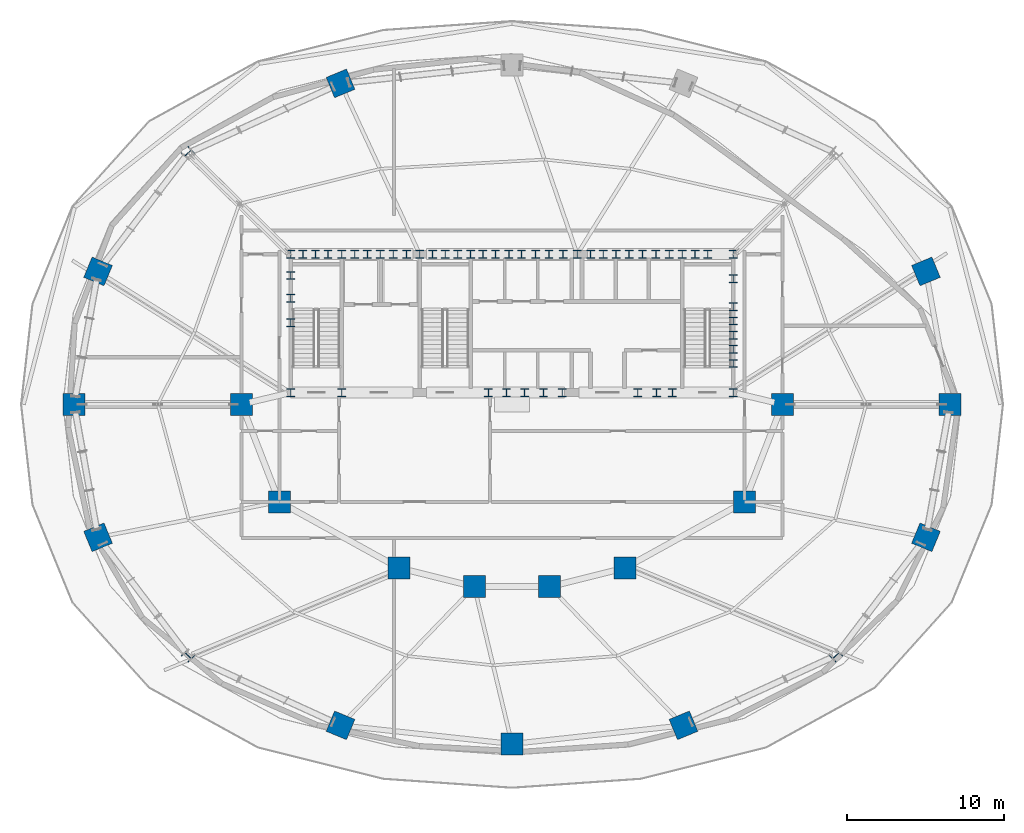
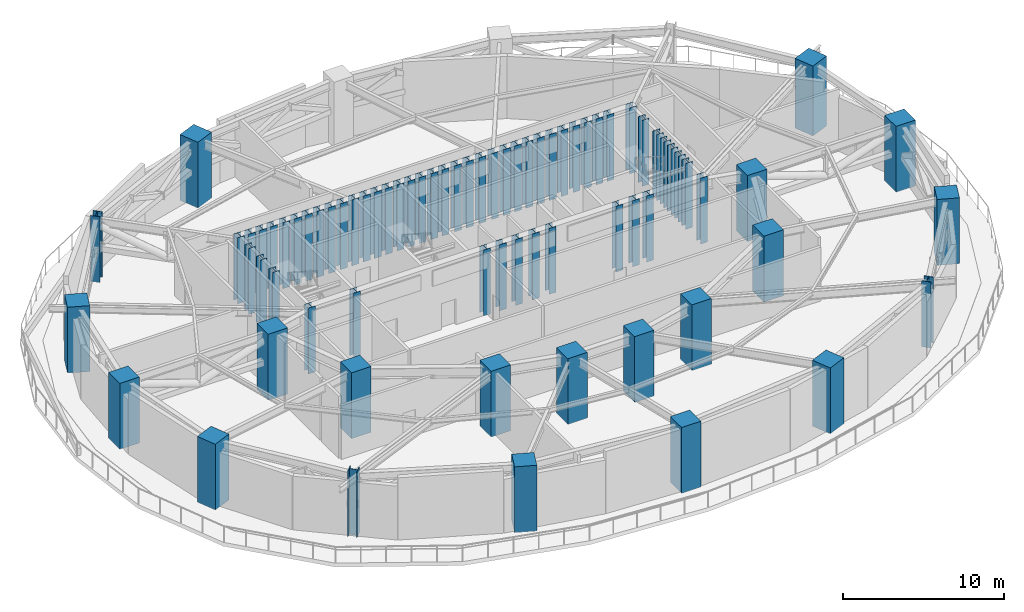
# One storey, part 1 of 18: 75 columns.
"""IFC4 building model written with IfcOpenShell, lengths in metres."""

from ifc_helpers import new_model, si_unit, direction, frame, origin, origin_2d, place, context, subcontext, project, spatial, rectangle, i_section, extrude, material, material_profile, profile_set, type_object, element, save


model = new_model("IFC4")

# Units and contexts
model_context = context("Model", 3, precision=1e-05, world=origin(), true_north=direction((0.0, 1.0)))
body_context = subcontext(model_context, "Body", "Model", "MODEL_VIEW")
ifc_project = project(units=[si_unit("LENGTHUNIT", "METRE"), si_unit("AREAUNIT", "SQUARE_METRE"), si_unit("VOLUMEUNIT", "CUBIC_METRE"), si_unit("PLANEANGLEUNIT", "RADIAN"), si_unit("MASSUNIT", "GRAM", prefix="KILO")], contexts=[model_context])

# Site, building, storey
site_placement = place(None, origin())
site = spatial("IfcSite", under=ifc_project, at=site_placement, CompositionType="ELEMENT")
building_placement = place(site_placement, origin())
building = spatial("IfcBuilding", under=site, at=building_placement, Name="Haldorwick Loom Tower", CompositionType="ELEMENT")
storey_placement = place(building_placement, frame((0.0, 0.0, 76.800048828125)))
storey = spatial("IfcBuildingStorey", under=building, at=storey_placement, Name="L20", CompositionType="ELEMENT", Elevation=76.800048828125)

# Columns
ifc_material_1 = material(Name="Concrete C60 (60 MPa)", Category="concrete")
ifc_material_profile_1 = material_profile(ifc_material_1, rectangle(XDim=1.39990234375, YDim=1.39990234375, at=origin_2d()), Name="RC1400X1400", Category="concrete")
ifc_profile_set_1 = profile_set([ifc_material_profile_1], Name="Concrete C60 (60 MPa)")
column_type_1 = type_object("IfcColumnType", Name="STR-COL-MEGA1400", PredefinedType="COLUMN", material=ifc_profile_set_1)
for number, where, z_axis, x_axis, name in (
    (1, (53.199951171875, 26.0, 0.0), (0.0, 0.0, 1.0), (1.0, 0.0, 0.0), "L20 Inner Column IC-01"),
    (2, (50.800048828125, 19.800048828125, 0.0), (0.0, 0.0, 1.0), (1.0, 0.0, 0.0), "L20 Inner Column IC-02"),
    (3, (43.199951171875, 15.60009765625, 0.0), (0.0, 0.0, 1.0), (1.0, 0.0, 0.0), "L20 Inner Column IC-03"),
    (4, (38.39990234375, 14.39990234375, 0.0), (0.0, 0.0, 1.0), (1.0, 0.0, 0.0), "L20 Inner Column IC-04"),
    (5, (33.60009765625, 14.39990234375, 0.0), (0.0, 0.0, 1.0), (1.0, 0.0, 0.0), "L20 Inner Column IC-05"),
    (6, (28.800048828125, 15.60009765625, 0.0), (0.0, 0.0, 1.0), (1.0, 0.0, 0.0), "L20 Inner Column IC-06"),
    (7, (21.199951171875, 19.800048828125, 0.0), (0.0, 0.0, 1.0), (1.0, 0.0, 0.0), "L20 Inner Column IC-07"),
    (8, (18.800048828125, 26.0, 0.0), (0.0, 0.0, 1.0), (1.0, 0.0, 0.0), "L20 Inner Column IC-08"),
):
    element("IfcColumn", number, at=place(storey_placement, frame(where, z_axis=z_axis, x_axis=x_axis)), inside=storey, type_object=column_type_1, Name=name, PredefinedType="COLUMN", context=body_context, shape_type="SweptSolid", body=[
        extrude(rectangle(XDim=1.39990234375, YDim=1.39990234375, at=origin_2d()), origin(), (0.0, 0.0, 1.0), 5.0),
    ])
ifc_material_profile_2 = material_profile(ifc_material_1, rectangle(XDim=1.39990234375, YDim=1.39990234375, at=origin_2d()), Name="RC1400X1400", Category="concrete")
ifc_profile_set_2 = profile_set([ifc_material_profile_2], Name="Concrete C60 (60 MPa)")
column_type_2 = type_object("IfcColumnType", Name="STR-COL-RC1400", PredefinedType="PILASTER", material=ifc_profile_set_2)
column_1_placement = place(storey_placement, frame((63.857666015625, 26.0, 0.0), z_axis=(0.0, 0.0, 1.0), x_axis=(1.0, 0.0, 0.0)))
element("IfcColumn", 9, at=column_1_placement, inside=storey, type_object=column_type_2, Name="L20 Perimeter Pier Column P01", PredefinedType="PILASTER", context=body_context, shape_type="SweptSolid", body=[
    extrude(rectangle(XDim=1.39990234375, YDim=1.39990234375, at=origin_2d()), origin(), (0.0, 0.0, 1.0), 5.0),
])
column_2_placement = place(storey_placement, frame((62.33056640625, 34.457275390625, -0.300048828125), z_axis=(0.0, 0.0, 1.0), x_axis=(0.923879532511, 0.382683432365, 0.0)))
element("IfcColumn", 10, at=column_2_placement, inside=storey, type_object=column_type_2, Name="L20 Perimeter Pier Column P02", PredefinedType="PILASTER", context=body_context, shape_type="SweptSolid", body=[
    extrude(rectangle(XDim=1.39990234375, YDim=1.39990234375, at=origin_2d()), origin(), (0.0, 0.0, 1.0), 5.300048828125),
])
for number, where, z_axis, x_axis, name in (
    (11, (25.093505859375, 46.417724609375, 0.0), (0.0, 0.0, 1.0), (-0.382683432365, 0.923879532511, 0.0), "L20 Perimeter Pier Column P06"),
    (12, (9.66943359375, 34.457275390625, 0.0), (0.0, 0.0, 1.0), (-0.923879532511, 0.382683432365, 0.0), "L20 Perimeter Pier Column P08"),
    (13, (8.142333984375, 26.0, 0.0), (0.0, 0.0, 1.0), (-1.0, 0.0, 0.0), "L20 Perimeter Pier Column P09"),
    (14, (9.66943359375, 17.542724609375, 0.0), (0.0, 0.0, 1.0), (-0.923879532511, -0.382683432365, 0.0), "L20 Perimeter Pier Column P10"),
    (15, (25.093505859375, 5.582275390625, 0.0), (0.0, 0.0, 1.0), (-0.382683432365, -0.923879532511, 0.0), "L20 Perimeter Pier Column P12"),
    (16, (36.0, 4.401611328125, 0.0), (0.0, 0.0, 1.0), (0.0, -1.0, 0.0), "L20 Perimeter Pier Column P13"),
    (17, (46.906494140625, 5.582275390625, 0.0), (0.0, 0.0, 1.0), (0.382683432365, -0.923879532511, 0.0), "L20 Perimeter Pier Column P14"),
    (18, (62.33056640625, 17.542724609375, 0.0), (0.0, 0.0, 1.0), (0.923879532511, -0.382683432365, 0.0), "L20 Perimeter Pier Column P16"),
):
    element("IfcColumn", number, at=place(storey_placement, frame(where, z_axis=z_axis, x_axis=x_axis)), inside=storey, type_object=column_type_2, Name=name, PredefinedType="PILASTER", context=body_context, shape_type="SweptSolid", body=[
        extrude(rectangle(XDim=1.39990234375, YDim=1.39990234375, at=origin_2d()), origin(), (0.0, 0.0, 1.0), 5.0),
    ])
ifc_material_2 = material(Name="Steel CSA G40.21 350WT", Category="steel")
ifc_material_profile_3 = material_profile(ifc_material_2, i_section(OverallWidth=0.5, OverallDepth=0.5, WebThickness=0.02197265625, FlangeThickness=0.031982421875, at=origin_2d()), Name="WWF500X500", Category="steel")
ifc_profile_set_3 = profile_set([ifc_material_profile_3], Name="Steel CSA G40.21 350WT")
column_type_3 = type_object("IfcColumnType", Name="STR-COL-WWF500", PredefinedType="COLUMN", material=ifc_profile_set_3)
for number, where, z_axis, x_axis, name in (
    (19, (21.929931640625, 35.550048828125, 0.0), (0.0, 0.0, 1.0), (1.0, 0.0, 0.0), "L20 Core Pilaster CB-01"),
    (20, (23.5, 35.550048828125, 0.0), (0.0, 0.0, 1.0), (1.0, 0.0, 0.0), "L20 Core Pilaster CB-02"),
    (21, (25.169921875, 35.550048828125, 0.0), (0.0, 0.0, 1.0), (1.0, 0.0, 0.0), "L20 Core Pilaster CB-03"),
    (22, (26.800048828125, 35.550048828125, 0.0), (0.0, 0.0, 1.0), (1.0, 0.0, 0.0), "L20 Core Pilaster CB-04"),
    (23, (28.449951171875, 35.550048828125, 0.0), (0.0, 0.0, 1.0), (1.0, 0.0, 0.0), "L20 Core Pilaster CB-05"),
    (24, (30.1298828125, 35.550048828125, 0.0), (0.0, 0.0, 1.0), (1.0, 0.0, 0.0), "L20 Core Pilaster CB-06"),
    (25, (31.75, 35.550048828125, 0.0), (0.0, 0.0, 1.0), (1.0, 0.0, 0.0), "L20 Core Pilaster CB-07"),
    (26, (33.3701171875, 35.550048828125, 0.0), (0.0, 0.0, 1.0), (1.0, 0.0, 0.0), "L20 Core Pilaster CB-08"),
    (27, (34.949951171875, 35.550048828125, 0.0), (0.0, 0.0, 1.0), (1.0, 0.0, 0.0), "L20 Core Pilaster CB-09"),
    (28, (36.60009765625, 35.550048828125, 0.0), (0.0, 0.0, 1.0), (1.0, 0.0, 0.0), "L20 Core Pilaster CB-10"),
    (29, (38.35009765625, 35.550048828125, 0.0), (0.0, 0.0, 1.0), (1.0, 0.0, 0.0), "L20 Core Pilaster CB-11"),
    (30, (40.14990234375, 35.550048828125, 0.0), (0.0, 0.0, 1.0), (1.0, 0.0, 0.0), "L20 Core Pilaster CB-12"),
    (31, (41.800048828125, 35.550048828125, 0.0), (0.0, 0.0, 1.0), (1.0, 0.0, 0.0), "L20 Core Pilaster CB-13"),
    (32, (43.449951171875, 35.550048828125, 0.0), (0.0, 0.0, 1.0), (1.0, 0.0, 0.0), "L20 Core Pilaster CB-14"),
    (33, (45.14990234375, 35.550048828125, 0.0), (0.0, 0.0, 1.0), (1.0, 0.0, 0.0), "L20 Core Pilaster CB-15"),
    (34, (46.830078125, 35.550048828125, 0.0), (0.0, 0.0, 1.0), (1.0, 0.0, 0.0), "L20 Core Pilaster CB-16"),
    (35, (48.449951171875, 35.550048828125, 0.0), (0.0, 0.0, 1.0), (1.0, 0.0, 0.0), "L20 Core Pilaster CB-17"),
    (36, (50.070068359375, 35.550048828125, 0.0), (0.0, 0.0, 1.0), (1.0, 0.0, 0.0), "L20 Core Pilaster CB-18"),
    (37, (21.929931640625, 26.75, 0.0), (0.0, 0.0, 1.0), (1.0, 0.0, 0.0), "L20 Core Pilaster CB-19"),
    (38, (25.169921875, 26.75, 0.0), (0.0, 0.0, 1.0), (1.0, 0.0, 0.0), "L20 Core Pilaster CB-20"),
    (39, (34.5, 26.75, 0.0), (0.0, 0.0, 1.0), (1.0, 0.0, 0.0), "L20 Core Pilaster CB-21"),
    (40, (36.800048828125, 26.75, 0.0), (0.0, 0.0, 1.0), (1.0, 0.0, 0.0), "L20 Core Pilaster CB-22"),
    (41, (39.199951171875, 26.75, 0.0), (0.0, 0.0, 1.0), (1.0, 0.0, 0.0), "L20 Core Pilaster CB-23"),
    (42, (45.199951171875, 26.75, 0.0), (0.0, 0.0, 1.0), (1.0, 0.0, 0.0), "L20 Core Pilaster CB-24"),
    (43, (50.070068359375, 26.75, 0.0), (0.0, 0.0, 1.0), (1.0, 0.0, 0.0), "L20 Core Pilaster CB-25"),
    (44, (21.929931640625, 31.199951171875, 0.0), (0.0, 0.0, 1.0), (1.0, 0.0, 0.0), "L20 Core Pilaster CB-26"),
    (45, (21.929931640625, 32.75, 0.0), (0.0, 0.0, 1.0), (1.0, 0.0, 0.0), "L20 Core Pilaster CB-27"),
    (46, (21.929931640625, 34.199951171875, 0.0), (0.0, 0.0, 1.0), (1.0, 0.0, 0.0), "L20 Core Pilaster CB-28"),
    (47, (50.070068359375, 28.60009765625, 0.0), (0.0, 0.0, 1.0), (1.0, 0.0, 0.0), "L20 Core Pilaster CB-29"),
    (48, (50.070068359375, 30.39990234375, 0.0), (0.0, 0.0, 1.0), (1.0, 0.0, 0.0), "L20 Core Pilaster CB-30"),
    (49, (50.070068359375, 32.199951171875, 0.0), (0.0, 0.0, 1.0), (1.0, 0.0, 0.0), "L20 Core Pilaster CB-31"),
    (50, (50.070068359375, 34.0, 0.0), (0.0, 0.0, 1.0), (1.0, 0.0, 0.0), "L20 Core Pilaster CB-32"),
    (51, (22.699951171875, 35.550048828125, 0.0), (0.0, 0.0, 1.0), (1.0, 0.0, 0.0), "L20 Core Pilaster CB-33"),
    (52, (27.6201171875, 35.550048828125, 0.0), (0.0, 0.0, 1.0), (1.0, 0.0, 0.0), "L20 Core Pilaster CB-34"),
    (53, (32.550048828125, 35.550048828125, 0.0), (0.0, 0.0, 1.0), (1.0, 0.0, 0.0), "L20 Core Pilaster CB-35"),
    (54, (37.5, 35.550048828125, 0.0), (0.0, 0.0, 1.0), (1.0, 0.0, 0.0), "L20 Core Pilaster CB-36"),
    (55, (42.6201171875, 35.550048828125, 0.0), (0.0, 0.0, 1.0), (1.0, 0.0, 0.0), "L20 Core Pilaster CB-37"),
    (56, (47.64990234375, 35.550048828125, 0.0), (0.0, 0.0, 1.0), (1.0, 0.0, 0.0), "L20 Core Pilaster CB-38"),
    (57, (24.300048828125, 35.550048828125, 0.0), (0.0, 0.0, 1.0), (1.0, 0.0, 0.0), "L20 Core Pilaster CB-39"),
    (58, (26.0, 35.550048828125, 0.0), (0.0, 0.0, 1.0), (1.0, 0.0, 0.0), "L20 Core Pilaster CB-40"),
    (59, (29.300048828125, 35.550048828125, 0.0), (0.0, 0.0, 1.0), (1.0, 0.0, 0.0), "L20 Core Pilaster CB-41"),
    (60, (30.949951171875, 35.550048828125, 0.0), (0.0, 0.0, 1.0), (1.0, 0.0, 0.0), "L20 Core Pilaster CB-42"),
    (61, (34.14990234375, 35.550048828125, 0.0), (0.0, 0.0, 1.0), (1.0, 0.0, 0.0), "L20 Core Pilaster CB-43"),
    (62, (35.800048828125, 35.550048828125, 0.0), (0.0, 0.0, 1.0), (1.0, 0.0, 0.0), "L20 Core Pilaster CB-44"),
    (63, (39.25, 35.550048828125, 0.0), (0.0, 0.0, 1.0), (1.0, 0.0, 0.0), "L20 Core Pilaster CB-45"),
    (64, (41.0, 35.550048828125, 0.0), (0.0, 0.0, 1.0), (1.0, 0.0, 0.0), "L20 Core Pilaster CB-46"),
    (65, (44.300048828125, 35.550048828125, 0.0), (0.0, 0.0, 1.0), (1.0, 0.0, 0.0), "L20 Core Pilaster CB-47"),
    (66, (46.0, 35.550048828125, 0.0), (0.0, 0.0, 1.0), (1.0, 0.0, 0.0), "L20 Core Pilaster CB-48"),
    (67, (50.070068359375, 29.5, 0.0), (0.0, 0.0, 1.0), (1.0, 0.0, 0.0), "L20 Core Pilaster CB-49"),
    (68, (50.070068359375, 31.300048828125, 0.0), (0.0, 0.0, 1.0), (1.0, 0.0, 0.0), "L20 Core Pilaster CB-50"),
    (69, (35.64990234375, 26.75, 0.0), (0.0, 0.0, 1.0), (1.0, 0.0, 0.0), "L20 Core Pilaster CB-51"),
    (70, (38.0, 26.75, 0.0), (0.0, 0.0, 1.0), (1.0, 0.0, 0.0), "L20 Core Pilaster CB-52"),
    (71, (44.0, 26.75, 0.0), (0.0, 0.0, 1.0), (1.0, 0.0, 0.0), "L20 Core Pilaster CB-53"),
    (72, (46.199951171875, 26.75, 0.0), (0.0, 0.0, 1.0), (1.0, 0.0, 0.0), "L20 Core Pilaster CB-54"),
):
    element("IfcColumn", number, at=place(storey_placement, frame(where, z_axis=z_axis, x_axis=x_axis)), inside=storey, type_object=column_type_3, Name=name, PredefinedType="COLUMN", context=body_context, shape_type="SweptSolid", body=[
        extrude(i_section(OverallWidth=0.5, OverallDepth=0.5, WebThickness=0.02197265625, FlangeThickness=0.031982421875, at=origin_2d()), origin(), (0.0, 0.0, 1.0), 5.0),
    ])
ifc_material_profile_4 = material_profile(ifc_material_2, i_section(OverallWidth=0.60009765625, OverallDepth=0.60009765625, WebThickness=0.02490234375, FlangeThickness=0.035888671875, at=origin_2d()), Name="WWF600X600", Category="steel")
ifc_profile_set_4 = profile_set([ifc_material_profile_4], Name="Steel CSA G40.21 350WT")
column_type_4 = type_object("IfcColumnType", Name="STR-COL-WWF600", PredefinedType="COLUMN", material=ifc_profile_set_4)
for number, where, z_axis, x_axis, name in (
    (73, (15.393310546875, 41.981689453125, 0.0), (0.0, 0.0, 1.0), (-0.707106781187, 0.707106781187, 0.0), "L20 Perimeter Pier Column P07"),
    (74, (15.393310546875, 10.018310546875, 0.0), (0.0, 0.0, 1.0), (-0.707106781187, -0.707106781187, 0.0), "L20 Perimeter Pier Column P11"),
    (75, (56.606689453125, 10.018310546875, 0.0), (0.0, 0.0, 1.0), (0.707106781187, -0.707106781187, 0.0), "L20 Perimeter Pier Column P15"),
):
    element("IfcColumn", number, at=place(storey_placement, frame(where, z_axis=z_axis, x_axis=x_axis)), inside=storey, type_object=column_type_4, Name=name, PredefinedType="COLUMN", context=body_context, shape_type="SweptSolid", body=[
        extrude(i_section(OverallWidth=0.60009765625, OverallDepth=0.60009765625, WebThickness=0.02490234375, FlangeThickness=0.035888671875, at=origin_2d()), origin(), (0.0, 0.0, 1.0), 5.0),
    ])

save(model, "model.ifc")
